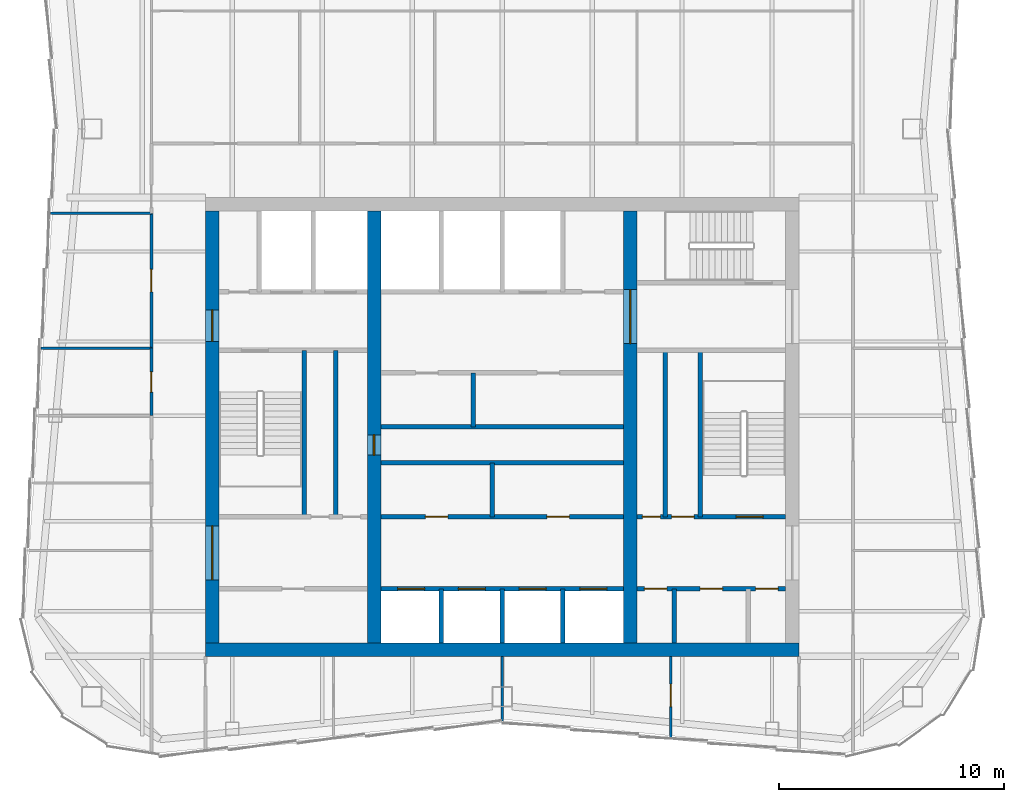
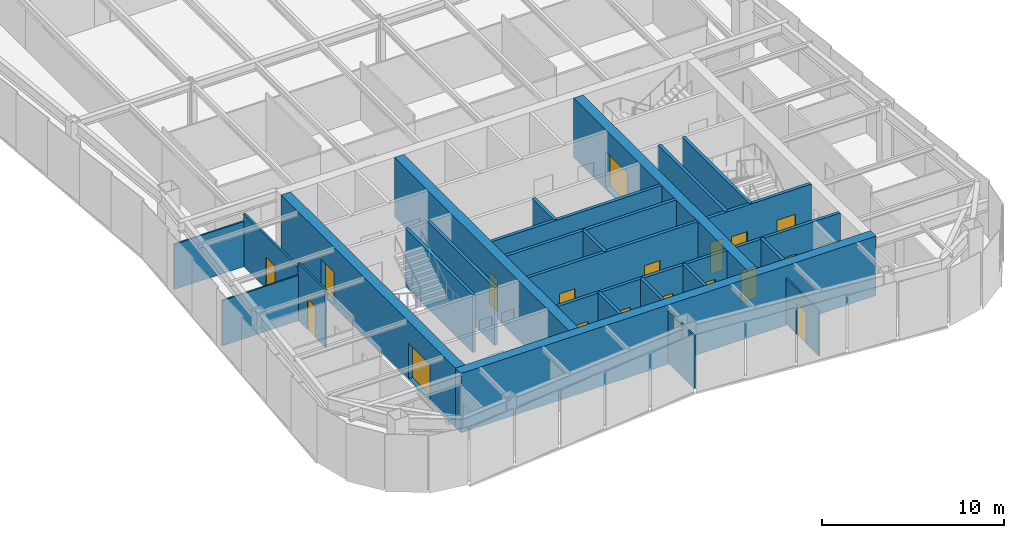
# One storey, part 6 of 10: 26 walls, 19 doors, 19 openings.
"""IFC4 building model written with IfcOpenShell, lengths in metres."""

from ifc_helpers import new_model, si_unit, direction, frame, frame_2d, origin, place, context, subcontext, project, spatial, rectangle, extrude, material, layer, layer_set, type_object, element, fill, save


model = new_model("IFC4")

# Units and contexts
model_context = context("Model", 3, precision=1e-05, world=origin(), true_north=direction((0.0, 1.0)))
body_context = subcontext(model_context, "Body", "Model", "MODEL_VIEW")
ifc_project = project(units=[si_unit("LENGTHUNIT", "METRE"), si_unit("AREAUNIT", "SQUARE_METRE"), si_unit("VOLUMEUNIT", "CUBIC_METRE"), si_unit("PLANEANGLEUNIT", "RADIAN"), si_unit("MASSUNIT", "GRAM", prefix="KILO")], contexts=[model_context])

# Site, building, storey
site_placement = place(None, origin())
site = spatial("IfcSite", under=ifc_project, at=site_placement, CompositionType="ELEMENT")
building_placement = place(site_placement, origin())
building = spatial("IfcBuilding", under=site, at=building_placement, Name="Verdant Reach Tower", CompositionType="ELEMENT")
storey_placement = place(building_placement, frame((0.0, 0.0, 322.0)))
storey = spatial("IfcBuildingStorey", under=building, at=storey_placement, Name="L74", CompositionType="ELEMENT", Elevation=322.0)

# Wall, openings, doors
ifc_material_1 = material(Name="Gypsum board on steel studs", Category="steel")
ifc_layer_1 = layer(ifc_material_1, 0.199951171875)
ifc_layer_set_1 = layer_set([ifc_layer_1], Name="CO-WALL-ROOM")
wall_type_1 = type_object("IfcWallType", Name="CO-WALL-ROOM", PredefinedType="PARTITIONING", material=ifc_layer_set_1)
wall_1_placement = place(storey_placement, frame((6.0, 20.800048828125, 0.0), z_axis=(0.0, 0.0, 1.0), x_axis=(1.0, 0.0, 0.0)))
wall_1 = element("IfcWall", 1, at=wall_1_placement, inside=storey, type_object=wall_type_1, Name="Core partition, L74", PredefinedType="PARTITIONING", context=body_context, shape_type="SweptSolid", body=[
    extrude(rectangle(XDim=6.60009765625, YDim=0.199951171875, at=frame_2d((3.300048828125, 0.0))), origin(), (0.0, 0.0, 1.0), 3.8701171875),
])
opening_1_placement = place(wall_1_placement, frame((0.324951171875, 0.0, 0.0)))
opening_1 = element("IfcOpeningElement", 2, at=opening_1_placement, cuts=wall_1, Name="Opening CD", PredefinedType="OPENING", context=body_context, shape_type="SweptSolid", body=[
    extrude(rectangle(XDim=1.0, YDim=2.10009765625, at=frame_2d((0.5, 1.050048828125))), frame((0.0, 0.10986328125, 0.0), z_axis=(0.0, -1.0, 0.0), x_axis=(1.0, 0.0, 0.0)), (0.0, 0.0, 1.0), 0.219970703125),
])
opening_2_placement = place(wall_1_placement, frame((2.800048828125, 0.0, 0.0)))
opening_2 = element("IfcOpeningElement", 3, at=opening_2_placement, cuts=wall_1, Name="Opening CD", PredefinedType="OPENING", context=body_context, shape_type="SweptSolid", body=[
    extrude(rectangle(XDim=1.0, YDim=2.10009765625, at=frame_2d((0.5, 1.050048828125))), frame((0.0, 0.10986328125, 0.0), z_axis=(0.0, -1.0, 0.0), x_axis=(1.0, 0.0, 0.0)), (0.0, 0.0, 1.0), 0.219970703125),
])
opening_3_placement = place(wall_1_placement, frame((5.27490234375, 0.0, 0.0)))
opening_3 = element("IfcOpeningElement", 4, at=opening_3_placement, cuts=wall_1, Name="Opening CD", PredefinedType="OPENING", context=body_context, shape_type="SweptSolid", body=[
    extrude(rectangle(XDim=1.0, YDim=2.10009765625, at=frame_2d((0.5, 1.050048828125))), frame((0.0, 0.10986328125, 0.0), z_axis=(0.0, -1.0, 0.0), x_axis=(1.0, 0.0, 0.0)), (0.0, 0.0, 1.0), 0.219970703125),
])
ifc_material_2 = material(Name="Timber", Category="wood")
door_type_1 = type_object("IfcDoorType", Name="CO-DOOR-ROOM", OperationType="NOTDEFINED", PredefinedType="DOOR", material=ifc_material_2)
door_1_placement = place(opening_1_placement, origin())
door_1 = element("IfcDoor", 5, at=door_1_placement, inside=storey, type_object=door_type_1, Name="Core room door, L74", OperationType="SINGLE_SWING_LEFT", OverallHeight=2.10009765625, OverallWidth=1.0, PredefinedType="DOOR", context=body_context, shape_type="SweptSolid", body=[
    extrude(rectangle(XDim=1.0, YDim=2.10009765625, at=frame_2d((0.5, 1.050048828125))), frame((0.0, 0.02490234375, 0.0), z_axis=(0.0, -1.0, 0.0), x_axis=(1.0, 0.0, 0.0)), (0.0, 0.0, 1.0), 0.050048828125),
])
fill(opening_1, door_1)
door_2_placement = place(opening_2_placement, origin())
door_2 = element("IfcDoor", 6, at=door_2_placement, inside=storey, type_object=door_type_1, Name="Core room door, L74", OperationType="SINGLE_SWING_LEFT", OverallHeight=2.10009765625, OverallWidth=1.0, PredefinedType="DOOR", context=body_context, shape_type="SweptSolid", body=[
    extrude(rectangle(XDim=1.0, YDim=2.10009765625, at=frame_2d((0.5, 1.050048828125))), frame((0.0, 0.02490234375, 0.0), z_axis=(0.0, -1.0, 0.0), x_axis=(1.0, 0.0, 0.0)), (0.0, 0.0, 1.0), 0.050048828125),
])
fill(opening_2, door_2)
door_3_placement = place(opening_3_placement, origin())
door_3 = element("IfcDoor", 7, at=door_3_placement, inside=storey, type_object=door_type_1, Name="Core room door, L74", OperationType="SINGLE_SWING_LEFT", OverallHeight=2.10009765625, OverallWidth=1.0, PredefinedType="DOOR", context=body_context, shape_type="SweptSolid", body=[
    extrude(rectangle(XDim=1.0, YDim=2.10009765625, at=frame_2d((0.5, 1.050048828125))), frame((0.0, 0.02490234375, 0.0), z_axis=(0.0, -1.0, 0.0), x_axis=(1.0, 0.0, 0.0)), (0.0, 0.0, 1.0), 0.050048828125),
])
fill(opening_3, door_3)

wall_2_placement = place(storey_placement, frame((-5.39990234375, 24.0, 0.0), z_axis=(0.0, 0.0, 1.0), x_axis=(1.0, 0.0, 0.0)))
wall_2 = element("IfcWall", 8, at=wall_2_placement, inside=storey, type_object=wall_type_1, Name="Core partition, L74", PredefinedType="PARTITIONING", context=body_context, shape_type="SweptSolid", body=[
    extrude(rectangle(XDim=10.7998046875, YDim=0.199951171875, at=frame_2d((5.39990234375, 0.0))), origin(), (0.0, 0.0, 1.0), 3.8701171875),
])
opening_4_placement = place(wall_2_placement, frame((1.98388671875, 0.0, 0.0)))
opening_4 = element("IfcOpeningElement", 9, at=opening_4_placement, cuts=wall_2, Name="Opening CD", PredefinedType="OPENING", context=body_context, shape_type="SweptSolid", body=[
    extrude(rectangle(XDim=1.0, YDim=2.10009765625, at=frame_2d((0.5, 1.050048828125))), frame((0.0, 0.10986328125, 0.0), z_axis=(0.0, -1.0, 0.0), x_axis=(1.0, 0.0, 0.0)), (0.0, 0.0, 1.0), 0.219970703125),
])
opening_5_placement = place(wall_2_placement, frame((7.384033203125, 0.0, 0.0)))
opening_5 = element("IfcOpeningElement", 10, at=opening_5_placement, cuts=wall_2, Name="Opening CD", PredefinedType="OPENING", context=body_context, shape_type="SweptSolid", body=[
    extrude(rectangle(XDim=1.0, YDim=2.10009765625, at=frame_2d((0.5, 1.050048828125))), frame((0.0, 0.10986328125, 0.0), z_axis=(0.0, -1.0, 0.0), x_axis=(1.0, 0.0, 0.0)), (0.0, 0.0, 1.0), 0.219970703125),
])
door_4_placement = place(opening_4_placement, origin())
door_4 = element("IfcDoor", 11, at=door_4_placement, inside=storey, type_object=door_type_1, Name="Core room door, L74", OperationType="SINGLE_SWING_LEFT", OverallHeight=2.10009765625, OverallWidth=1.0, PredefinedType="DOOR", context=body_context, shape_type="SweptSolid", body=[
    extrude(rectangle(XDim=1.0, YDim=2.10009765625, at=frame_2d((0.5, 1.050048828125))), frame((0.0, 0.02490234375, 0.0), z_axis=(0.0, -1.0, 0.0), x_axis=(1.0, 0.0, 0.0)), (0.0, 0.0, 1.0), 0.050048828125),
])
fill(opening_4, door_4)
door_5_placement = place(opening_5_placement, origin())
door_5 = element("IfcDoor", 12, at=door_5_placement, inside=storey, type_object=door_type_1, Name="Core room door, L74", OperationType="SINGLE_SWING_RIGHT", OverallHeight=2.10009765625, OverallWidth=1.0, PredefinedType="DOOR", context=body_context, shape_type="SweptSolid", body=[
    extrude(rectangle(XDim=1.0, YDim=2.10009765625, at=frame_2d((0.5, 1.050048828125))), frame((0.0, 0.02490234375, 0.0), z_axis=(0.0, -1.0, 0.0), x_axis=(1.0, 0.0, 0.0)), (0.0, 0.0, 1.0), 0.050048828125),
])
fill(opening_5, door_5)

# Walls
for number, where, z_axis, x_axis, name in (
    (13, (-5.39990234375, 26.39990234375, 0.0), (0.0, 0.0, 1.0), (1.0, 0.0, 0.0), "Core partition, L74"),
    (14, (-5.39990234375, 28.0, 0.0), (0.0, 0.0, 1.0), (1.0, 0.0, 0.0), "Core partition, L74"),
):
    element("IfcWall", number, at=place(storey_placement, frame(where, z_axis=z_axis, x_axis=x_axis)), inside=storey, type_object=wall_type_1, Name=name, PredefinedType="PARTITIONING", context=body_context, shape_type="SweptSolid", body=[
        extrude(rectangle(XDim=10.7998046875, YDim=0.199951171875, at=frame_2d((5.39990234375, 0.0))), origin(), (0.0, 0.0, 1.0), 3.8701171875),
    ])
wall_3_placement = place(storey_placement, frame((-7.39990234375, 24.0, 0.0), z_axis=(0.0, 0.0, 1.0), x_axis=(0.0, 1.0, 0.0)))
element("IfcWall", 15, at=wall_3_placement, inside=storey, type_object=wall_type_1, Name="Core partition, L74", PredefinedType="PARTITIONING", context=body_context, shape_type="SweptSolid", body=[
    extrude(rectangle(XDim=7.39990234375, YDim=0.199951171875, at=frame_2d((3.699951171875, 0.0))), origin(), (0.0, 0.0, 1.0), 3.8701171875),
])
for number, where, z_axis, x_axis, name in (
    (16, (-1.2958984375, 28.0, 0.0), (0.0, 0.0, 1.0), (0.0, 1.0, 0.0), "Core partition, L74"),
    (17, (-0.431884765625, 24.0, 0.0), (0.0, 0.0, 1.0), (0.0, 1.0, 0.0), "Core partition, L74"),
):
    element("IfcWall", number, at=place(storey_placement, frame(where, z_axis=z_axis, x_axis=x_axis)), inside=storey, type_object=wall_type_1, Name=name, PredefinedType="PARTITIONING", context=body_context, shape_type="SweptSolid", body=[
        extrude(rectangle(XDim=2.39990234375, YDim=0.199951171875, at=frame_2d((1.199951171875, 0.0))), origin(), (0.0, 0.0, 1.0), 3.8701171875),
    ])
wall_4_placement = place(storey_placement, frame((7.260009765625, 24.0, 0.0), z_axis=(0.0, 0.0, 1.0), x_axis=(0.0, 1.0, 0.0)))
element("IfcWall", 18, at=wall_4_placement, inside=storey, type_object=wall_type_1, Name="Core partition, L74", PredefinedType="PARTITIONING", context=body_context, shape_type="SweptSolid", body=[
    extrude(rectangle(XDim=7.39990234375, YDim=0.199951171875, at=frame_2d((3.699951171875, 0.0))), origin(), (0.0, 0.0, 1.0), 3.8701171875),
])
wall_5_placement = place(storey_placement, frame((7.64990234375, 18.39990234375, 0.0), z_axis=(0.0, 0.0, 1.0), x_axis=(0.0, 1.0, 0.0)))
element("IfcWall", 19, at=wall_5_placement, inside=storey, type_object=wall_type_1, Name="Core partition, L74", PredefinedType="PARTITIONING", context=body_context, shape_type="SweptSolid", body=[
    extrude(rectangle(XDim=2.400146484375, YDim=0.199951171875, at=frame_2d((1.2001953125, 0.0))), origin(), (0.0, 0.0, 1.0), 3.8701171875),
])

# Wall, openings, doors
ifc_material_3 = material(Name="Concrete C40/50", Category="concrete")
ifc_layer_2 = layer(ifc_material_3, 0.199951171875)
ifc_layer_set_2 = layer_set([ifc_layer_2], Name="CO-WALL-SHAFT")
wall_type_2 = type_object("IfcWallType", Name="CO-WALL-SHAFT", PredefinedType="PARTITIONING", material=ifc_layer_set_2)
wall_6_placement = place(storey_placement, frame((-5.39990234375, 20.800048828125, 0.0), z_axis=(0.0, 0.0, 1.0), x_axis=(1.0, 0.0, 0.0)))
wall_6 = element("IfcWall", 20, at=wall_6_placement, inside=storey, type_object=wall_type_2, Name="Lift shaft wall, L74", PredefinedType="PARTITIONING", context=body_context, shape_type="SweptSolid", body=[
    extrude(rectangle(XDim=10.7998046875, YDim=0.199951171875, at=frame_2d((5.39990234375, 0.0))), origin(), (0.0, 0.0, 1.0), 3.8701171875),
])
opening_6_placement = place(wall_6_placement, frame((0.75, 0.0, 0.0)))
opening_6 = element("IfcOpeningElement", 21, at=opening_6_placement, cuts=wall_6, Name="Opening LD-B1", PredefinedType="OPENING", context=body_context, shape_type="SweptSolid", body=[
    extrude(rectangle(XDim=1.199951171875, YDim=2.199951171875, at=frame_2d((0.60009765625, 1.10009765625))), frame((0.0, 0.10986328125, 0.0), z_axis=(0.0, -1.0, 0.0), x_axis=(1.0, 0.0, 0.0)), (0.0, 0.0, 1.0), 0.219970703125),
])
opening_7_placement = place(wall_6_placement, frame((3.449951171875, 0.0, 0.0)))
opening_7 = element("IfcOpeningElement", 22, at=opening_7_placement, cuts=wall_6, Name="Opening LD-B2", PredefinedType="OPENING", context=body_context, shape_type="SweptSolid", body=[
    extrude(rectangle(XDim=1.199951171875, YDim=2.199951171875, at=frame_2d((0.60009765625, 1.10009765625))), frame((0.0, 0.10986328125, 0.0), z_axis=(0.0, -1.0, 0.0), x_axis=(1.0, 0.0, 0.0)), (0.0, 0.0, 1.0), 0.219970703125),
])
opening_8_placement = place(wall_6_placement, frame((6.14990234375, 0.0, 0.0)))
opening_8 = element("IfcOpeningElement", 23, at=opening_8_placement, cuts=wall_6, Name="Opening LD-B3", PredefinedType="OPENING", context=body_context, shape_type="SweptSolid", body=[
    extrude(rectangle(XDim=1.199951171875, YDim=2.199951171875, at=frame_2d((0.60009765625, 1.10009765625))), frame((0.0, 0.10986328125, 0.0), z_axis=(0.0, -1.0, 0.0), x_axis=(1.0, 0.0, 0.0)), (0.0, 0.0, 1.0), 0.219970703125),
])
opening_9_placement = place(wall_6_placement, frame((8.85009765625, 0.0, 0.0)))
opening_9 = element("IfcOpeningElement", 24, at=opening_9_placement, cuts=wall_6, Name="Opening LD-B4", PredefinedType="OPENING", context=body_context, shape_type="SweptSolid", body=[
    extrude(rectangle(XDim=1.199951171875, YDim=2.199951171875, at=frame_2d((0.60009765625, 1.10009765625))), frame((0.0, 0.10986328125, 0.0), z_axis=(0.0, -1.0, 0.0), x_axis=(1.0, 0.0, 0.0)), (0.0, 0.0, 1.0), 0.219970703125),
])
ifc_material_4 = material(Name="Stainless steel", Category="steel")
door_type_2 = type_object("IfcDoorType", Name="CO-DOOR-LANDING", OperationType="SLIDING_TO_LEFT", PredefinedType="DOOR", material=ifc_material_4)
door_6_placement = place(opening_6_placement, origin())
door_6 = element("IfcDoor", 25, at=door_6_placement, inside=storey, type_object=door_type_2, Name="Landing door B1, L74", OperationType="SLIDING_TO_LEFT", OverallHeight=2.199951171875, OverallWidth=1.199951171875, PredefinedType="DOOR", context=body_context, shape_type="SweptSolid", body=[
    extrude(rectangle(XDim=1.199951171875, YDim=2.199951171875, at=frame_2d((0.60009765625, 1.10009765625))), frame((0.0, 0.02490234375, 0.0), z_axis=(0.0, -1.0, 0.0), x_axis=(1.0, 0.0, 0.0)), (0.0, 0.0, 1.0), 0.050048828125),
])
fill(opening_6, door_6)
door_7_placement = place(opening_7_placement, origin())
door_7 = element("IfcDoor", 26, at=door_7_placement, inside=storey, type_object=door_type_2, Name="Landing door B2, L74", OperationType="SLIDING_TO_LEFT", OverallHeight=2.199951171875, OverallWidth=1.199951171875, PredefinedType="DOOR", context=body_context, shape_type="SweptSolid", body=[
    extrude(rectangle(XDim=1.199951171875, YDim=2.199951171875, at=frame_2d((0.60009765625, 1.10009765625))), frame((0.0, 0.02490234375, 0.0), z_axis=(0.0, -1.0, 0.0), x_axis=(1.0, 0.0, 0.0)), (0.0, 0.0, 1.0), 0.050048828125),
])
fill(opening_7, door_7)
door_8_placement = place(opening_8_placement, origin())
door_8 = element("IfcDoor", 27, at=door_8_placement, inside=storey, type_object=door_type_2, Name="Landing door B3, L74", OperationType="SLIDING_TO_LEFT", OverallHeight=2.199951171875, OverallWidth=1.199951171875, PredefinedType="DOOR", context=body_context, shape_type="SweptSolid", body=[
    extrude(rectangle(XDim=1.199951171875, YDim=2.199951171875, at=frame_2d((0.60009765625, 1.10009765625))), frame((0.0, 0.02490234375, 0.0), z_axis=(0.0, -1.0, 0.0), x_axis=(1.0, 0.0, 0.0)), (0.0, 0.0, 1.0), 0.050048828125),
])
fill(opening_8, door_8)
door_9_placement = place(opening_9_placement, origin())
door_9 = element("IfcDoor", 28, at=door_9_placement, inside=storey, type_object=door_type_2, Name="Landing door B4, L74", OperationType="SLIDING_TO_LEFT", OverallHeight=2.199951171875, OverallWidth=1.199951171875, PredefinedType="DOOR", context=body_context, shape_type="SweptSolid", body=[
    extrude(rectangle(XDim=1.199951171875, YDim=2.199951171875, at=frame_2d((0.60009765625, 1.10009765625))), frame((0.0, 0.02490234375, 0.0), z_axis=(0.0, -1.0, 0.0), x_axis=(1.0, 0.0, 0.0)), (0.0, 0.0, 1.0), 0.050048828125),
])
fill(opening_9, door_9)

# Walls
for number, where, z_axis, x_axis, name in (
    (29, (-2.699951171875, 18.39990234375, 0.0), (0.0, 0.0, 1.0), (0.0, 1.0, 0.0), "Lift shaft wall, L74"),
    (30, (0.0, 18.39990234375, 0.0), (0.0, 0.0, 1.0), (0.0, 1.0, 0.0), "Lift shaft wall, L74"),
    (31, (2.699951171875, 18.39990234375, 0.0), (0.0, 0.0, 1.0), (0.0, 1.0, 0.0), "Lift shaft wall, L74"),
):
    element("IfcWall", number, at=place(storey_placement, frame(where, z_axis=z_axis, x_axis=x_axis)), inside=storey, type_object=wall_type_2, Name=name, PredefinedType="PARTITIONING", context=body_context, shape_type="SweptSolid", body=[
        extrude(rectangle(XDim=2.400146484375, YDim=0.199951171875, at=frame_2d((1.2001953125, 0.0))), origin(), (0.0, 0.0, 1.0), 3.8701171875),
    ])

# Wall, openings, doors
ifc_layer_3 = layer(ifc_material_3, 0.199951171875)
ifc_layer_set_3 = layer_set([ifc_layer_3], Name="CO-WALL-STAIR")
wall_type_3 = type_object("IfcWallType", Name="CO-WALL-STAIR", PredefinedType="PARTITIONING", material=ifc_layer_set_3)
wall_7_placement = place(storey_placement, frame((6.0, 24.0, 0.0), z_axis=(0.0, 0.0, 1.0), x_axis=(1.0, 0.0, 0.0)))
wall_7 = element("IfcWall", 32, at=wall_7_placement, inside=storey, type_object=wall_type_3, Name="Stair enclosure wall, L74", PredefinedType="PARTITIONING", context=body_context, shape_type="SweptSolid", body=[
    extrude(rectangle(XDim=6.60009765625, YDim=0.199951171875, at=frame_2d((3.300048828125, 0.0))), origin(), (0.0, 0.0, 1.0), 3.8701171875),
])
opening_10_placement = place(wall_7_placement, frame((0.22998046875, 0.0, 0.0)))
opening_10 = element("IfcOpeningElement", 33, at=opening_10_placement, cuts=wall_7, Name="Opening CDN", PredefinedType="OPENING", context=body_context, shape_type="SweptSolid", body=[
    extrude(rectangle(XDim=0.800048828125, YDim=2.10009765625, at=frame_2d((0.39990234375, 1.050048828125))), frame((0.0, 0.10986328125, 0.0), z_axis=(0.0, -1.0, 0.0), x_axis=(1.0, 0.0, 0.0)), (0.0, 0.0, 1.0), 0.219970703125),
])
opening_11_placement = place(wall_7_placement, frame((1.530029296875, 0.0, 0.0)))
opening_11 = element("IfcOpeningElement", 34, at=opening_11_placement, cuts=wall_7, Name="Opening CD", PredefinedType="OPENING", context=body_context, shape_type="SweptSolid", body=[
    extrude(rectangle(XDim=1.0, YDim=2.10009765625, at=frame_2d((0.5, 1.050048828125))), frame((0.0, 0.10986328125, 0.0), z_axis=(0.0, -1.0, 0.0), x_axis=(1.0, 0.0, 0.0)), (0.0, 0.0, 1.0), 0.219970703125),
])
opening_12_placement = place(wall_7_placement, frame((4.39990234375, 0.0, 0.0)))
opening_12 = element("IfcOpeningElement", 35, at=opening_12_placement, cuts=wall_7, Name="Opening SD", PredefinedType="OPENING", context=body_context, shape_type="SweptSolid", body=[
    extrude(rectangle(XDim=1.199951171875, YDim=2.199951171875, at=frame_2d((0.60009765625, 1.10009765625))), frame((0.0, 0.10986328125, 0.0), z_axis=(0.0, -1.0, 0.0), x_axis=(1.0, 0.0, 0.0)), (0.0, 0.0, 1.0), 0.219970703125),
])
door_10_placement = place(opening_11_placement, origin())
door_10 = element("IfcDoor", 36, at=door_10_placement, inside=storey, type_object=door_type_1, Name="Core room door, L74", OperationType="SINGLE_SWING_LEFT", OverallHeight=2.10009765625, OverallWidth=1.0, PredefinedType="DOOR", context=body_context, shape_type="SweptSolid", body=[
    extrude(rectangle(XDim=1.0, YDim=2.10009765625, at=frame_2d((0.5, 1.050048828125))), frame((0.0, 0.02490234375, 0.0), z_axis=(0.0, -1.0, 0.0), x_axis=(1.0, 0.0, 0.0)), (0.0, 0.0, 1.0), 0.050048828125),
])
fill(opening_11, door_10)
door_type_3 = type_object("IfcDoorType", Name="CO-DOOR-ROOM-NARROW", OperationType="NOTDEFINED", PredefinedType="DOOR", material=ifc_material_2)
door_11_placement = place(opening_10_placement, origin())
door_11 = element("IfcDoor", 37, at=door_11_placement, inside=storey, type_object=door_type_3, Name="Core room door, L74", OperationType="SINGLE_SWING_RIGHT", OverallHeight=2.10009765625, OverallWidth=0.800048828125, PredefinedType="DOOR", context=body_context, shape_type="SweptSolid", body=[
    extrude(rectangle(XDim=0.800048828125, YDim=2.10009765625, at=frame_2d((0.39990234375, 1.050048828125))), frame((0.0, 0.02490234375, 0.0), z_axis=(0.0, -1.0, 0.0), x_axis=(1.0, 0.0, 0.0)), (0.0, 0.0, 1.0), 0.050048828125),
])
fill(opening_10, door_11)
ifc_material_5 = material(Name="Steel", Category="steel")
door_type_4 = type_object("IfcDoorType", Name="CO-DOOR-STAIR", OperationType="NOTDEFINED", PredefinedType="DOOR", material=ifc_material_5)
door_12_placement = place(opening_12_placement, origin())
door_12 = element("IfcDoor", 38, at=door_12_placement, inside=storey, type_object=door_type_4, Name="Stair door, L74", OperationType="SINGLE_SWING_LEFT", OverallHeight=2.199951171875, OverallWidth=1.199951171875, PredefinedType="DOOR", context=body_context, shape_type="SweptSolid", body=[
    extrude(rectangle(XDim=1.199951171875, YDim=2.199951171875, at=frame_2d((0.60009765625, 1.10009765625))), frame((0.0, 0.02490234375, 0.0), z_axis=(0.0, -1.0, 0.0), x_axis=(1.0, 0.0, 0.0)), (0.0, 0.0, 1.0), 0.050048828125),
])
fill(opening_12, door_12)

# Walls
for number, where, z_axis, x_axis, name in (
    (39, (-8.800048828125, 24.0, 0.0), (0.0, 0.0, 1.0), (0.0, 1.0, 0.0), "Stair enclosure wall, L74"),
    (40, (8.800048828125, 24.0, 0.0), (0.0, 0.0, 1.0), (0.0, 1.0, 0.0), "Stair enclosure wall, L74"),
):
    element("IfcWall", number, at=place(storey_placement, frame(where, z_axis=z_axis, x_axis=x_axis)), inside=storey, type_object=wall_type_3, Name=name, PredefinedType="PARTITIONING", context=body_context, shape_type="SweptSolid", body=[
        extrude(rectangle(XDim=7.39990234375, YDim=0.199951171875, at=frame_2d((3.699951171875, 0.0))), origin(), (0.0, 0.0, 1.0), 3.8701171875),
    ])
ifc_layer_4 = layer(ifc_material_1, 0.10009765625)
ifc_layer_set_4 = layer_set([ifc_layer_4], Name="FL-W1 Partition 100")
wall_type_4 = type_object("IfcWallType", Name="FL-W1 Partition 100", PredefinedType="PARTITIONING", material=ifc_layer_set_4)
wall_8_placement = place(storey_placement, frame((-15.60009765625, 31.5, 0.0), z_axis=(0.0, 0.0, 1.0), x_axis=(-1.0, 0.0, 0.0)))
element("IfcWall", 41, at=wall_8_placement, inside=storey, type_object=wall_type_4, Name="Partition 74.19", PredefinedType="PARTITIONING", context=body_context, shape_type="SweptSolid", body=[
    extrude(rectangle(XDim=4.90234375, YDim=0.10009765625, at=frame_2d((2.451171875, 0.0))), origin(), (0.0, 0.0, 1.0), 3.0400390625),
])
wall_9_placement = place(storey_placement, frame((-15.60009765625, 37.5, 0.0), z_axis=(0.0, 0.0, 1.0), x_axis=(-1.0, 0.0, 0.0)))
element("IfcWall", 42, at=wall_9_placement, inside=storey, type_object=wall_type_4, Name="Partition 74.20", PredefinedType="PARTITIONING", context=body_context, shape_type="SweptSolid", body=[
    extrude(rectangle(XDim=4.488525390625, YDim=0.10009765625, at=frame_2d((2.244140625, 0.0))), origin(), (0.0, 0.0, 1.0), 3.0400390625),
])
wall_10_placement = place(storey_placement, frame((0.0, 14.919921875, 0.0), z_axis=(0.0, 0.0, 1.0), x_axis=(0.0, 1.0, 0.0)))
element("IfcWall", 43, at=wall_10_placement, inside=storey, type_object=wall_type_4, Name="Partition 74.30", PredefinedType="PARTITIONING", context=body_context, shape_type="SweptSolid", body=[
    extrude(rectangle(XDim=2.880126953125, YDim=0.10009765625, at=frame_2d((1.43994140625, 0.0))), origin(), (0.0, 0.0, 1.0), 3.5400390625),
])

# Wall, opening, door
wall_11_placement = place(storey_placement, frame((7.5, 14.182373046875, 0.0), z_axis=(0.0, 0.0, 1.0), x_axis=(0.0, 1.0, 0.0)))
wall_11 = element("IfcWall", 44, at=wall_11_placement, inside=storey, type_object=wall_type_4, Name="Partition 74.31", PredefinedType="PARTITIONING", context=body_context, shape_type="SweptSolid", body=[
    extrude(rectangle(XDim=3.61767578125, YDim=0.10009765625, at=frame_2d((1.808837890625, 0.0))), origin(), (0.0, 0.0, 1.0), 3.0400390625),
])
opening_13_placement = place(wall_11_placement, frame((1.3740234375, 0.0, 0.0)))
opening_13 = element("IfcOpeningElement", 45, at=opening_13_placement, cuts=wall_11, Name="Opening D3", PredefinedType="OPENING", context=body_context, shape_type="SweptSolid", body=[
    extrude(rectangle(XDim=1.0, YDim=2.10009765625, at=frame_2d((0.5, 1.050048828125))), frame((0.0, 0.06005859375, 0.0), z_axis=(0.0, -1.0, 0.0), x_axis=(1.0, 0.0, 0.0)), (0.0, 0.0, 1.0), 0.1201171875),
])
ifc_material_6 = material(Name="Painted timber door leaf", Category="wood")
door_type_5 = type_object("IfcDoorType", Name="FL-D3 Door 1000x2100", OperationType="NOTDEFINED", PredefinedType="DOOR", material=ifc_material_6)
door_13_placement = place(opening_13_placement, origin())
door_13 = element("IfcDoor", 46, at=door_13_placement, inside=storey, type_object=door_type_5, Name="Door 74-017", OperationType="SINGLE_SWING_RIGHT", OverallHeight=2.10009765625, OverallWidth=1.0, PredefinedType="DOOR", context=body_context, shape_type="SweptSolid", body=[
    extrude(rectangle(XDim=1.0, YDim=2.10009765625, at=frame_2d((0.5, 1.050048828125))), frame((0.0, 0.02490234375, 0.0), z_axis=(0.0, -1.0, 0.0), x_axis=(1.0, 0.0, 0.0)), (0.0, 0.0, 1.0), 0.050048828125),
])
fill(opening_13, door_13)

ifc_material_7 = material(Name="Gypsum board on steel studs, fire rated", Category="steel")
ifc_layer_5 = layer(ifc_material_7, 0.125)
ifc_layer_set_5 = layer_set([ifc_layer_5], Name="FL-W2 Corridor wall 125")
wall_type_5 = type_object("IfcWallType", Name="FL-W2 Corridor wall 125", PredefinedType="PARTITIONING", material=ifc_layer_set_5)
wall_12_placement = place(storey_placement, frame((-15.60009765625, 28.5, 0.0), z_axis=(0.0, 0.0, 1.0), x_axis=(0.0, 1.0, 0.0)))
wall_12 = element("IfcWall", 47, at=wall_12_placement, inside=storey, type_object=wall_type_5, Name="Partition 74.04", PredefinedType="PARTITIONING", context=body_context, shape_type="SweptSolid", body=[
    extrude(rectangle(XDim=3.0, YDim=0.125, at=frame_2d((1.5, 0.0))), origin(), (0.0, 0.0, 1.0), 3.8701171875),
])
opening_14_placement = place(wall_12_placement, frame((1.050048828125, 0.0, 0.0)))
opening_14 = element("IfcOpeningElement", 48, at=opening_14_placement, cuts=wall_12, Name="Opening D1", PredefinedType="OPENING", context=body_context, shape_type="SweptSolid", body=[
    extrude(rectangle(XDim=0.89990234375, YDim=2.10009765625, at=frame_2d((0.449951171875, 1.050048828125))), frame((0.0, 0.072509765625, 0.0), z_axis=(0.0, -1.0, 0.0), x_axis=(1.0, 0.0, 0.0)), (0.0, 0.0, 1.0), 0.14501953125),
])
door_type_6 = type_object("IfcDoorType", Name="FL-D1 Door 900x2100", OperationType="NOTDEFINED", PredefinedType="DOOR", material=ifc_material_6)
door_14_placement = place(opening_14_placement, origin())
door_14 = element("IfcDoor", 49, at=door_14_placement, inside=storey, type_object=door_type_6, Name="Door 74-004", OperationType="SINGLE_SWING_RIGHT", OverallHeight=2.10009765625, OverallWidth=0.89990234375, PredefinedType="DOOR", context=body_context, shape_type="SweptSolid", body=[
    extrude(rectangle(XDim=0.89990234375, YDim=2.10009765625, at=frame_2d((0.449951171875, 1.050048828125))), frame((0.0, 0.02490234375, 0.0), z_axis=(0.0, -1.0, 0.0), x_axis=(1.0, 0.0, 0.0)), (0.0, 0.0, 1.0), 0.050048828125),
])
fill(opening_14, door_14)

wall_13_placement = place(storey_placement, frame((-15.60009765625, 31.5, 0.0), z_axis=(0.0, 0.0, 1.0), x_axis=(0.0, 1.0, 0.0)))
wall_13 = element("IfcWall", 50, at=wall_13_placement, inside=storey, type_object=wall_type_5, Name="Partition 74.05", PredefinedType="PARTITIONING", context=body_context, shape_type="SweptSolid", body=[
    extrude(rectangle(XDim=6.0, YDim=0.125, at=frame_2d((3.0, 0.0))), origin(), (0.0, 0.0, 1.0), 3.5400390625),
])
opening_15_placement = place(wall_13_placement, frame((2.5, 0.0, 0.0)))
opening_15 = element("IfcOpeningElement", 51, at=opening_15_placement, cuts=wall_13, Name="Opening D2", PredefinedType="OPENING", context=body_context, shape_type="SweptSolid", body=[
    extrude(rectangle(XDim=1.0, YDim=2.10009765625, at=frame_2d((0.5, 1.050048828125))), frame((0.0, 0.072509765625, 0.0), z_axis=(0.0, -1.0, 0.0), x_axis=(1.0, 0.0, 0.0)), (0.0, 0.0, 1.0), 0.14501953125),
])
ifc_material_8 = material(Name="Timber door leaf, fire rated", Category="wood")
door_type_7 = type_object("IfcDoorType", Name="FL-D2 Entrance door 1000x2100 FD30", OperationType="NOTDEFINED", PredefinedType="DOOR", material=ifc_material_8)
door_15_placement = place(opening_15_placement, origin())
door_15 = element("IfcDoor", 52, at=door_15_placement, inside=storey, type_object=door_type_7, Name="Door 74-005", OperationType="SINGLE_SWING_LEFT", OverallHeight=2.10009765625, OverallWidth=1.0, PredefinedType="DOOR", context=body_context, shape_type="SweptSolid", body=[
    extrude(rectangle(XDim=1.0, YDim=2.10009765625, at=frame_2d((0.5, 1.050048828125))), frame((0.0, 0.02490234375, 0.0), z_axis=(0.0, -1.0, 0.0), x_axis=(1.0, 0.0, 0.0)), (0.0, 0.0, 1.0), 0.050048828125),
])
fill(opening_15, door_15)

# Wall
ifc_material_9 = material(Name="Concrete C70/85", Category="concrete")
ifc_layer_6 = layer(ifc_material_9, 0.60009765625)
ifc_layer_set_6 = layer_set([ifc_layer_6], Name="ST-CORE-WALL-600")
wall_type_6 = type_object("IfcWallType", Name="ST-CORE-WALL-600", PredefinedType="SHEAR", material=ifc_layer_set_6)
wall_14_placement = place(storey_placement, frame((-13.199951171875, 18.10009765625, -0.1298828125), z_axis=(0.0, 0.0, 1.0), x_axis=(1.0, 0.0, 0.0)))
element("IfcWall", 53, at=wall_14_placement, inside=storey, type_object=wall_type_6, Name="Core wall S, L74", PredefinedType="SHEAR", context=body_context, shape_type="SweptSolid", body=[
    extrude(rectangle(XDim=26.39990234375, YDim=0.60009765625, at=frame_2d((13.199951171875, 0.0))), origin(), (0.0, 0.0, 1.0), 4.0),
])

# Wall, openings, doors
wall_15_placement = place(storey_placement, frame((-12.89990234375, 18.39990234375, -0.1298828125), z_axis=(0.0, 0.0, 1.0), x_axis=(0.0, 1.0, 0.0)))
wall_15 = element("IfcWall", 54, at=wall_15_placement, inside=storey, type_object=wall_type_6, Name="Core wall W, L74", PredefinedType="SHEAR", context=body_context, shape_type="SweptSolid", body=[
    extrude(rectangle(XDim=19.2001953125, YDim=0.60009765625, at=frame_2d((9.60009765625, 0.0))), origin(), (0.0, 0.0, 1.0), 4.0),
])
opening_16_placement = place(wall_15_placement, frame((2.800048828125, 0.0, 0.1298828125)))
opening_16 = element("IfcOpeningElement", 55, at=opening_16_placement, cuts=wall_15, Name="Opening LB", PredefinedType="OPENING", context=body_context, shape_type="SweptSolid", body=[
    extrude(rectangle(XDim=2.39990234375, YDim=2.39990234375, at=frame_2d((1.199951171875, 1.199951171875))), frame((0.0, 0.31005859375, 0.0), z_axis=(0.0, -1.0, 0.0), x_axis=(1.0, 0.0, 0.0)), (0.0, 0.0, 1.0), 0.6201171875),
])
opening_17_placement = place(wall_15_placement, frame((13.39990234375, 0.0, 0.1298828125)))
opening_17 = element("IfcOpeningElement", 56, at=opening_17_placement, cuts=wall_15, Name="Opening FL", PredefinedType="OPENING", context=body_context, shape_type="SweptSolid", body=[
    extrude(rectangle(XDim=1.39990234375, YDim=2.199951171875, at=frame_2d((0.699951171875, 1.10009765625))), frame((0.0, 0.31005859375, 0.0), z_axis=(0.0, -1.0, 0.0), x_axis=(1.0, 0.0, 0.0)), (0.0, 0.0, 1.0), 0.6201171875),
])
door_type_8 = type_object("IfcDoorType", Name="CO-DOOR-FFL", OperationType="NOTDEFINED", PredefinedType="DOOR", material=ifc_material_5)
door_16_placement = place(opening_17_placement, origin())
door_16 = element("IfcDoor", 57, at=door_16_placement, inside=storey, type_object=door_type_8, Name="Core entrance door, L74", OperationType="SINGLE_SWING_RIGHT", OverallHeight=2.199951171875, OverallWidth=1.39990234375, PredefinedType="DOOR", context=body_context, shape_type="SweptSolid", body=[
    extrude(rectangle(XDim=1.39990234375, YDim=2.199951171875, at=frame_2d((0.699951171875, 1.10009765625))), frame((0.0, 0.02490234375, 0.0), z_axis=(0.0, -1.0, 0.0), x_axis=(1.0, 0.0, 0.0)), (0.0, 0.0, 1.0), 0.050048828125),
])
fill(opening_17, door_16)
ifc_material_10 = material(Name="Glass and steel", Category="steel")
door_type_9 = type_object("IfcDoorType", Name="CO-DOOR-LOBBY", OperationType="DOUBLE_DOOR_SINGLE_SWING", PredefinedType="DOOR", material=ifc_material_10)
door_17_placement = place(opening_16_placement, origin())
door_17 = element("IfcDoor", 58, at=door_17_placement, inside=storey, type_object=door_type_9, Name="Core entrance door, L74", OperationType="DOUBLE_DOOR_SINGLE_SWING", OverallHeight=2.39990234375, OverallWidth=2.39990234375, PredefinedType="DOOR", context=body_context, shape_type="SweptSolid", body=[
    extrude(rectangle(XDim=2.39990234375, YDim=2.39990234375, at=frame_2d((1.199951171875, 1.199951171875))), frame((0.0, 0.02490234375, 0.0), z_axis=(0.0, -1.0, 0.0), x_axis=(1.0, 0.0, 0.0)), (0.0, 0.0, 1.0), 0.050048828125),
])
fill(opening_16, door_17)

# Wall, opening, door
wall_16_placement = place(storey_placement, frame((-5.699951171875, 18.39990234375, -0.1298828125), z_axis=(0.0, 0.0, 1.0), x_axis=(0.0, 1.0, 0.0)))
wall_16 = element("IfcWall", 59, at=wall_16_placement, inside=storey, type_object=wall_type_6, Name="Core wall XW, L74", PredefinedType="SHEAR", context=body_context, shape_type="SweptSolid", body=[
    extrude(rectangle(XDim=19.2001953125, YDim=0.60009765625, at=frame_2d((9.60009765625, 0.0))), origin(), (0.0, 0.0, 1.0), 4.0),
])
opening_18_placement = place(wall_16_placement, frame((8.35009765625, 0.0, 0.1298828125)))
opening_18 = element("IfcOpeningElement", 60, at=opening_18_placement, cuts=wall_16, Name="Opening RD", PredefinedType="OPENING", context=body_context, shape_type="SweptSolid", body=[
    extrude(rectangle(XDim=0.89990234375, YDim=2.10009765625, at=frame_2d((0.449951171875, 1.050048828125))), frame((0.0, 0.31005859375, 0.0), z_axis=(0.0, -1.0, 0.0), x_axis=(1.0, 0.0, 0.0)), (0.0, 0.0, 1.0), 0.6201171875),
])
door_type_10 = type_object("IfcDoorType", Name="CO-DOOR-RISER", OperationType="NOTDEFINED", PredefinedType="DOOR", material=ifc_material_5)
door_18_placement = place(opening_18_placement, origin())
door_18 = element("IfcDoor", 61, at=door_18_placement, inside=storey, type_object=door_type_10, Name="Riser door, L74", OperationType="SINGLE_SWING_RIGHT", OverallHeight=2.10009765625, OverallWidth=0.89990234375, PredefinedType="DOOR", context=body_context, shape_type="SweptSolid", body=[
    extrude(rectangle(XDim=0.89990234375, YDim=2.10009765625, at=frame_2d((0.449951171875, 1.050048828125))), frame((0.0, 0.02490234375, 0.0), z_axis=(0.0, -1.0, 0.0), x_axis=(1.0, 0.0, 0.0)), (0.0, 0.0, 1.0), 0.050048828125),
])
fill(opening_18, door_18)

wall_17_placement = place(storey_placement, frame((5.699951171875, 18.39990234375, -0.1298828125), z_axis=(0.0, 0.0, 1.0), x_axis=(0.0, 1.0, 0.0)))
wall_17 = element("IfcWall", 62, at=wall_17_placement, inside=storey, type_object=wall_type_6, Name="Core wall XE, L74", PredefinedType="SHEAR", context=body_context, shape_type="SweptSolid", body=[
    extrude(rectangle(XDim=19.2001953125, YDim=0.60009765625, at=frame_2d((9.60009765625, 0.0))), origin(), (0.0, 0.0, 1.0), 4.0),
])
opening_19_placement = place(wall_17_placement, frame((13.300048828125, 0.0, 0.1298828125)))
opening_19 = element("IfcOpeningElement", 63, at=opening_19_placement, cuts=wall_17, Name="Opening LB", PredefinedType="OPENING", context=body_context, shape_type="SweptSolid", body=[
    extrude(rectangle(XDim=2.39990234375, YDim=2.39990234375, at=frame_2d((1.199951171875, 1.199951171875))), frame((0.0, 0.31005859375, 0.0), z_axis=(0.0, -1.0, 0.0), x_axis=(1.0, 0.0, 0.0)), (0.0, 0.0, 1.0), 0.6201171875),
])
door_19_placement = place(opening_19_placement, origin())
door_19 = element("IfcDoor", 64, at=door_19_placement, inside=storey, type_object=door_type_9, Name="Core entrance door, L74", OperationType="DOUBLE_DOOR_SINGLE_SWING", OverallHeight=2.39990234375, OverallWidth=2.39990234375, PredefinedType="DOOR", context=body_context, shape_type="SweptSolid", body=[
    extrude(rectangle(XDim=2.39990234375, YDim=2.39990234375, at=frame_2d((1.199951171875, 1.199951171875))), frame((0.0, 0.02490234375, 0.0), z_axis=(0.0, -1.0, 0.0), x_axis=(1.0, 0.0, 0.0)), (0.0, 0.0, 1.0), 0.050048828125),
])
fill(opening_19, door_19)

save(model, "model.ifc")
